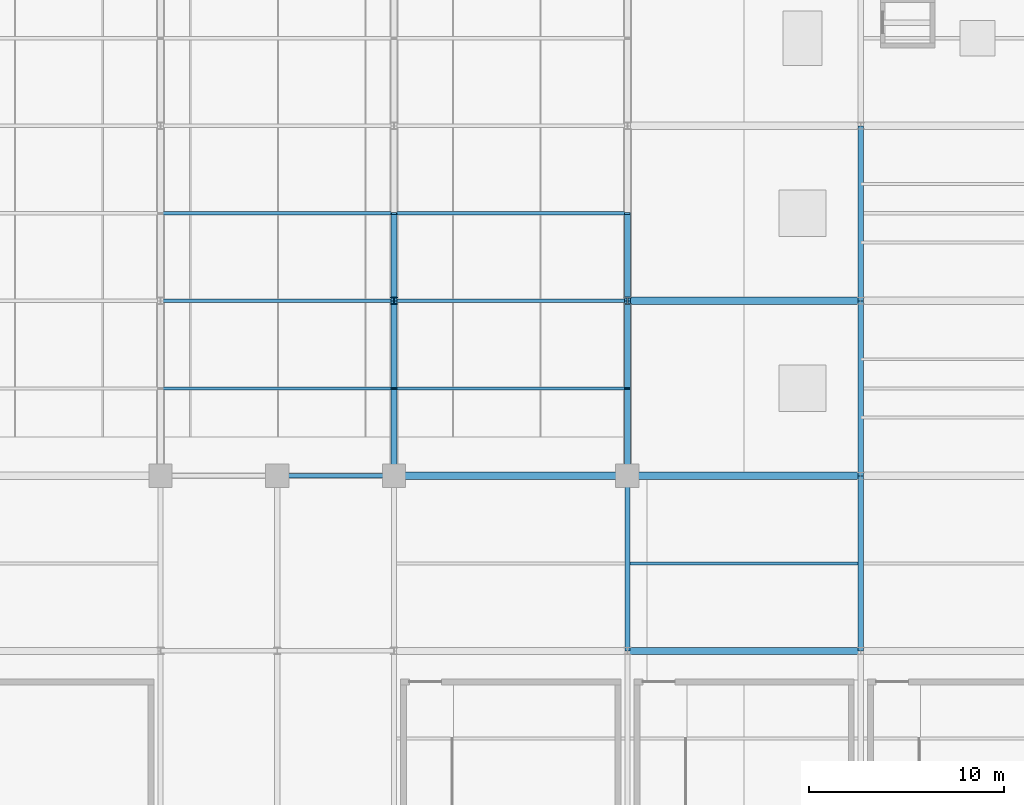
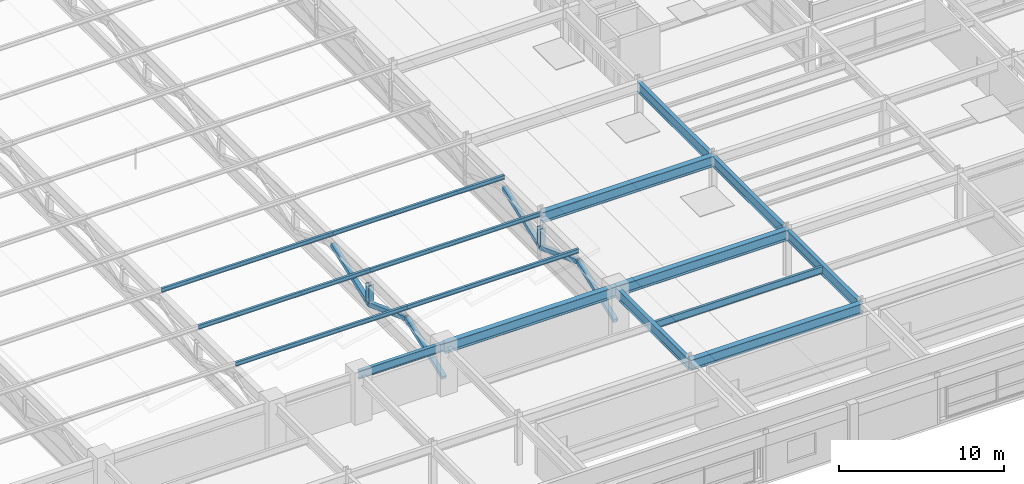
# One storey, part 37 of 108: 14 members, 10 beams.
"""IFC4 building model written with IfcOpenShell, lengths in metres."""

from ifc_helpers import new_model, si_unit, direction, frame, origin, origin_2d, place, context, subcontext, project, spatial, hollow_rectangle, i_section, extrude, material, material_profile, profile_set, type_object, element, save


model = new_model("IFC4")

# Units and contexts
model_context = context("Model", 3, precision=1e-05, world=origin(), true_north=direction((0.0, 1.0)))
body_context = subcontext(model_context, "Body", "Model", "MODEL_VIEW")
ifc_project = project(units=[si_unit("LENGTHUNIT", "METRE"), si_unit("AREAUNIT", "SQUARE_METRE"), si_unit("VOLUMEUNIT", "CUBIC_METRE"), si_unit("PLANEANGLEUNIT", "RADIAN"), si_unit("MASSUNIT", "GRAM", prefix="KILO")], contexts=[model_context])

# Site, building, storey
site_placement = place(None, origin())
site = spatial("IfcSite", under=ifc_project, at=site_placement, CompositionType="ELEMENT")
building_placement = place(site_placement, origin())
building = spatial("IfcBuilding", under=site, at=building_placement, Name="Kaldorvane Square Convention Centre", CompositionType="ELEMENT")
storey_placement = place(building_placement, frame((0.0, 0.0, 23.399993896484375)))
storey = spatial("IfcBuildingStorey", under=building, at=storey_placement, Name="L04", CompositionType="ELEMENT", Elevation=23.399993896484375)

# Beams
ifc_material_1 = material(Name="Steel ASTM A992 Gr. 50", Category="steel")
ifc_material_profile_1 = material_profile(ifc_material_1, i_section(OverallWidth=0.2303009033203125, OverallDepth=0.61749267578125, WebThickness=0.0131072998046875, FlangeThickness=0.0222015380859375, FilletRadius=0.0126953125, at=origin_2d()), Name="W24X94")
ifc_profile_set_1 = profile_set([ifc_material_profile_1], Name="Steel ASTM A992 Gr. 50")
beam_type_1 = type_object("IfcBeamType", Name="BM-GR-W24X94", PredefinedType="BEAM", material=ifc_profile_set_1)
beam_1_placement = place(storey_placement, frame((96.0, 18.0, 3.2172088623046875), z_axis=(1.0, 0.0, 0.0), x_axis=(0.0, 1.0, 0.0)))
element("IfcBeam", 1, at=beam_1_placement, inside=storey, type_object=beam_type_1, Name="Primary Girder (L04)", PredefinedType="BEAM", context=body_context, shape_type="SweptSolid", body=[
    extrude(i_section(OverallWidth=0.2303009033203125, OverallDepth=0.61749267578125, WebThickness=0.0131072998046875, FlangeThickness=0.0222015380859375, FilletRadius=0.0126953125, at=origin_2d()), origin(), (0.0, 0.0, 1.0), 6.0),
])
ifc_material_profile_2 = material_profile(ifc_material_1, i_section(OverallWidth=0.2666015625, OverallDepth=0.762298583984375, WebThickness=0.014404296875, FlangeThickness=0.0216064453125, FilletRadius=0.0164947509765625, at=origin_2d()), Name="W30X116")
ifc_profile_set_2 = profile_set([ifc_material_profile_2], Name="Steel ASTM A992 Gr. 50")
beam_type_2 = type_object("IfcBeamType", Name="BM-GR-W30X116", PredefinedType="BEAM", material=ifc_profile_set_2)
for number, where, z_axis, x_axis, name in (
    (2, (114.0, 9.0, 3.144805908203125), (0.0, 1.0, 0.0), (-1.0, 0.0, 0.0), "Transverse Girder (L04)"),
    (3, (126.0, 9.0, 3.144805908203125), (0.0, 1.0, 0.0), (-1.0, 0.0, 0.0), "Transverse Girder (L04)"),
    (4, (126.0, 18.0, 3.144805908203125), (0.0, 1.0, 0.0), (-1.0, 0.0, 0.0), "Transverse Girder (L04)"),
    (5, (126.0, 27.0, 3.144805908203125), (0.0, 1.0, 0.0), (-1.0, 0.0, 0.0), "Transverse Girder (L04)"),
):
    element("IfcBeam", number, at=place(storey_placement, frame(where, z_axis=z_axis, x_axis=x_axis)), inside=storey, type_object=beam_type_2, Name=name, PredefinedType="BEAM", context=body_context, shape_type="SweptSolid", body=[
        extrude(i_section(OverallWidth=0.2666015625, OverallDepth=0.762298583984375, WebThickness=0.014404296875, FlangeThickness=0.0216064453125, FilletRadius=0.0164947509765625, at=origin_2d()), origin(), (0.0, 0.0, 1.0), 9.0),
    ])
ifc_material_profile_3 = material_profile(ifc_material_1, i_section(OverallWidth=0.380706787109375, OverallDepth=0.773193359375, WebThickness=0.0166015625, FlangeThickness=0.027099609375, FilletRadius=0.0164947509765625, at=origin_2d()), Name="W30X173")
ifc_profile_set_3 = profile_set([ifc_material_profile_3], Name="Steel ASTM A992 Gr. 50")
beam_type_3 = type_object("IfcBeamType", Name="BM-GR-W30X173", PredefinedType="BEAM", material=ifc_profile_set_3)
for number, where, z_axis, x_axis, name in (
    (6, (114.0, 9.0, 3.139404296875), (1.0, 0.0, 0.0), (0.0, 1.0, 0.0), "Primary Girder (L04)"),
    (7, (102.0, 18.0, 3.139404296875), (1.0, 0.0, 0.0), (0.0, 1.0, 0.0), "Primary Girder (L04)"),
    (8, (114.0, 18.0, 3.139404296875), (1.0, 0.0, 0.0), (0.0, 1.0, 0.0), "Primary Girder (L04)"),
    (9, (114.0, 27.0, 3.139404296875), (1.0, 0.0, 0.0), (0.0, 1.0, 0.0), "Primary Girder (L04)"),
):
    element("IfcBeam", number, at=place(storey_placement, frame(where, z_axis=z_axis, x_axis=x_axis)), inside=storey, type_object=beam_type_3, Name=name, PredefinedType="BEAM", context=body_context, shape_type="SweptSolid", body=[
        extrude(i_section(OverallWidth=0.380706787109375, OverallDepth=0.773193359375, WebThickness=0.0166015625, FlangeThickness=0.027099609375, FilletRadius=0.0164947509765625, at=origin_2d()), origin(), (0.0, 0.0, 1.0), 12.0),
    ])
ifc_material_profile_4 = material_profile(ifc_material_1, i_section(OverallWidth=0.1658935546875, OverallDepth=0.5290985107421875, WebThickness=0.00970458984375, FlangeThickness=0.0135955810546875, FilletRadius=0.0126953125, at=origin_2d()), Name="W21X50")
ifc_profile_set_4 = profile_set([ifc_material_profile_4], Name="Steel ASTM A992 Gr. 50")
beam_type_4 = type_object("IfcBeamType", Name="BM-JS-W21X50", PredefinedType="JOIST", material=ifc_profile_set_4)
beam_2_placement = place(storey_placement, frame((114.13330078125, 13.5, 3.26141357421875), z_axis=(1.0, 0.0, 0.0), x_axis=(0.0, 1.0, 0.0)))
element("IfcBeam", 10, at=beam_2_placement, inside=storey, type_object=beam_type_4, Name="Secondary Floor Joist (L04)", PredefinedType="JOIST", context=body_context, shape_type="SweptSolid", body=[
    extrude(i_section(OverallWidth=0.1658935546875, OverallDepth=0.5290985107421875, WebThickness=0.00970458984375, FlangeThickness=0.0135955810546875, FilletRadius=0.0126953125, at=origin_2d()), origin(), (0.0, 0.0, 1.0), 11.7333984375),
])

# Members
ifc_material_2 = material(Name="Steel ASTM A500 Gr. C", Category="steel")
ifc_material_profile_5 = material_profile(ifc_material_2, hollow_rectangle(XDim=0.3047943115234375, YDim=0.3047943115234375, WallThickness=0.0117950439453125, at=origin_2d()), Name="HSS12X12X1/2")
ifc_profile_set_5 = profile_set([ifc_material_profile_5], Name="Steel ASTM A500 Gr. C")
member_type_1 = type_object("IfcMemberType", Name="MB-BR-HSS12", PredefinedType="BRACE", material=ifc_profile_set_5)
for number, where, z_axis, x_axis, name in (
    (11, (102.0, 18.0, 0.8800048828125), (0.0, 0.937283847769, 0.348567050524), (-1.0, 0.0, 0.0), "Hall Roof Truss RT-07 Web 1A"),
    (12, (102.0, 22.5, 2.5535125732421875), (0.0, 0.937283847769, -0.348567050524), (-1.0, 0.0, 0.0), "Hall Roof Truss RT-07 Web 1B"),
    (13, (102.0, 27.0, 0.8800048828125), (0.0, 0.937283847769, 0.348567050524), (-1.0, 0.0, 0.0), "Hall Roof Truss RT-07 Web 2A"),
    (14, (114.0, 18.0, 0.8800048828125), (0.0, 0.937283847769, 0.348567050524), (-1.0, 0.0, 0.0), "Hall Roof Truss RT-08 Web 1A"),
    (15, (114.0, 22.5, 2.5535125732421875), (0.0, 0.937283847769, -0.348567050524), (-1.0, 0.0, 0.0), "Hall Roof Truss RT-08 Web 1B"),
    (16, (114.0, 27.0, 0.8800048828125), (0.0, 0.937283847769, 0.348567050524), (-1.0, 0.0, 0.0), "Hall Roof Truss RT-08 Web 2A"),
):
    element("IfcMember", number, at=place(storey_placement, frame(where, z_axis=z_axis, x_axis=x_axis)), inside=storey, type_object=member_type_1, Name=name, PredefinedType="BRACE", context=body_context, shape_type="SweptSolid", body=[
        extrude(hollow_rectangle(XDim=0.3047943115234375, YDim=0.3047943115234375, WallThickness=0.0117950439453125, at=origin_2d()), origin(), (0.0, 0.0, 1.0), 4.8011016845703125),
    ])
ifc_material_profile_6 = material_profile(ifc_material_1, i_section(OverallWidth=0.164794921875, OverallDepth=0.310394287109375, WebThickness=0.00579833984375, FlangeThickness=0.00970458984375, FilletRadius=0.007598876953125, at=origin_2d()), Name="W12X26")
ifc_profile_set_6 = profile_set([ifc_material_profile_6], Name="Steel ASTM A992 Gr. 50")
member_type_2 = type_object("IfcMemberType", Name="MB-PR-W12X26", PredefinedType="PURLIN", material=ifc_profile_set_6)
for number, where, z_axis, x_axis, name in (
    (17, (90.0, 22.5, 3.3628082275390625), (1.0, 0.0, 0.0), (0.0, 1.0, 0.0), "Hall Roof Steel Purlin"),
    (18, (90.0, 27.0, 3.3628082275390625), (1.0, 0.0, 0.0), (0.0, 1.0, 0.0), "Hall Roof Steel Purlin"),
    (19, (90.0, 31.5, 3.3628082275390625), (1.0, 0.0, 0.0), (0.0, 1.0, 0.0), "Hall Roof Steel Purlin"),
    (20, (102.0, 22.5, 3.3628082275390625), (1.0, 0.0, 0.0), (0.0, 1.0, 0.0), "Hall Roof Steel Purlin"),
    (21, (102.0, 27.0, 3.3628082275390625), (1.0, 0.0, 0.0), (0.0, 1.0, 0.0), "Hall Roof Steel Purlin"),
    (22, (102.0, 31.5, 3.3628082275390625), (1.0, 0.0, 0.0), (0.0, 1.0, 0.0), "Hall Roof Steel Purlin"),
):
    element("IfcMember", number, at=place(storey_placement, frame(where, z_axis=z_axis, x_axis=x_axis)), inside=storey, type_object=member_type_2, Name=name, PredefinedType="PURLIN", context=body_context, shape_type="SweptSolid", body=[
        extrude(i_section(OverallWidth=0.164794921875, OverallDepth=0.310394287109375, WebThickness=0.00579833984375, FlangeThickness=0.00970458984375, FilletRadius=0.007598876953125, at=origin_2d()), origin(), (0.0, 0.0, 1.0), 12.0),
    ])
ifc_material_profile_7 = material_profile(ifc_material_1, i_section(OverallWidth=0.373992919921875, OverallDepth=0.372406005859375, WebThickness=0.0164031982421875, FlangeThickness=0.0261993408203125, FilletRadius=0.0305023193359375, at=origin_2d()), Name="W14X132")
ifc_profile_set_7 = profile_set([ifc_material_profile_7], Name="Steel ASTM A992 Gr. 50")
member_type_3 = type_object("IfcMemberType", Name="MB-PS-W14X132", PredefinedType="POST", material=ifc_profile_set_7)
for number, where, z_axis, x_axis, name in (
    (23, (102.0, 27.0, 1.0500030517578125), (0.0, 0.0, 1.0), (1.0, 0.0, 0.0), "Hall Roof Truss RT-07 Post 1"),
    (24, (114.0, 27.0, 1.0500030517578125), (0.0, 0.0, 1.0), (1.0, 0.0, 0.0), "Hall Roof Truss RT-08 Post 1"),
):
    element("IfcMember", number, at=place(storey_placement, frame(where, z_axis=z_axis, x_axis=x_axis)), inside=storey, type_object=member_type_3, Name=name, PredefinedType="POST", context=body_context, shape_type="SweptSolid", body=[
        extrude(i_section(OverallWidth=0.373992919921875, OverallDepth=0.372406005859375, WebThickness=0.0164031982421875, FlangeThickness=0.0261993408203125, FilletRadius=0.0305023193359375, at=origin_2d()), origin(), (0.0, 0.0, 1.0), 1.33349609375),
    ])

save(model, "model.ifc")
